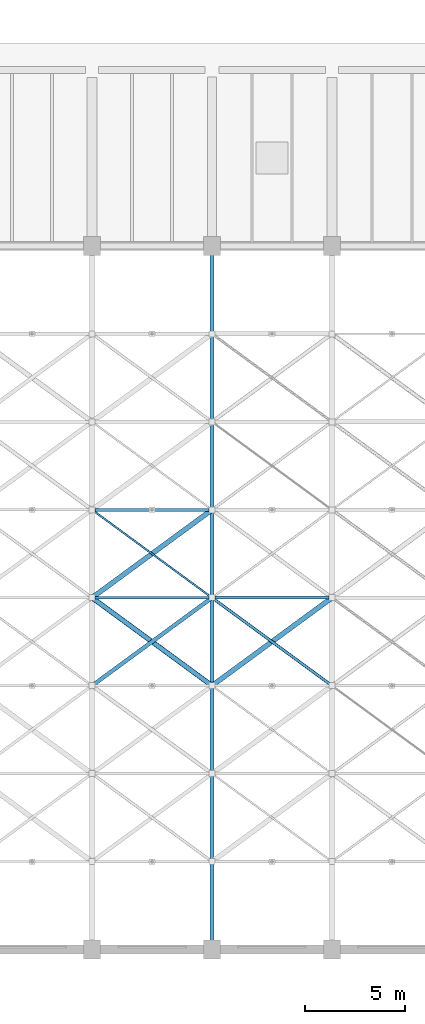
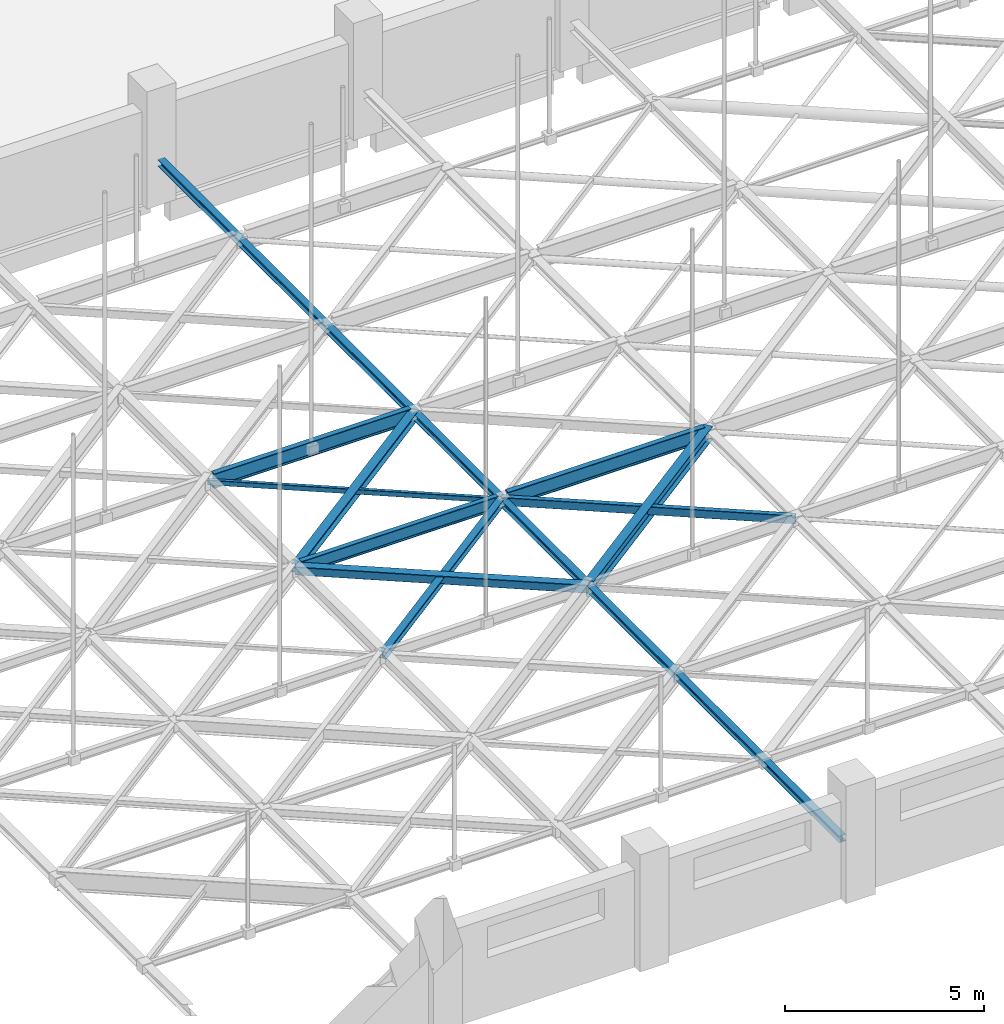
# One storey, part 40 of 93: 6 members, 4 beams.
"""IFC4 building model written with IfcOpenShell, lengths in metres."""

from ifc_helpers import new_model, si_unit, direction, frame, origin, origin_2d, place, context, subcontext, project, spatial, hollow_rectangle, i_section, extrude, material, material_profile, profile_set, type_object, element, save


model = new_model("IFC4")

# Units and contexts
model_context = context("Model", 3, precision=1e-05, world=origin(), true_north=direction((0.0, 1.0)))
body_context = subcontext(model_context, "Body", "Model", "MODEL_VIEW")
ifc_project = project(units=[si_unit("LENGTHUNIT", "METRE"), si_unit("AREAUNIT", "SQUARE_METRE"), si_unit("VOLUMEUNIT", "CUBIC_METRE"), si_unit("PLANEANGLEUNIT", "RADIAN"), si_unit("MASSUNIT", "GRAM", prefix="KILO")], contexts=[model_context])

# Site, building, storey
site_placement = place(None, origin())
site = spatial("IfcSite", under=ifc_project, at=site_placement, CompositionType="ELEMENT")
building_placement = place(site_placement, origin())
building = spatial("IfcBuilding", under=site, at=building_placement, Name="Varnakota Cinema and Media Centre", CompositionType="ELEMENT")
storey_placement = place(building_placement, frame((0.0, 0.0, 12.0)))
storey = spatial("IfcBuildingStorey", under=building, at=storey_placement, Name="L03", CompositionType="ELEMENT", Elevation=12.0)

# Beams
ifc_material_1 = material(Name="Structural steel Grade 350 (E350)", Category="steel")
ifc_material_profile_1 = material_profile(ifc_material_1, i_section(OverallWidth=0.199951171875, OverallDepth=0.199951171875, WebThickness=0.0078125, FlangeThickness=0.009033203125, FilletRadius=0.009033203125, at=origin_2d()), Name="ISHB 200")
ifc_profile_set_1 = profile_set([ifc_material_profile_1], Name="Structural steel Grade 350 (E350)")
beam_type_1 = type_object("IfcBeamType", Name="BM-ST-ISHB200", PredefinedType="BEAM", material=ifc_profile_set_1)
beam_1_placement = place(storey_placement, frame((99.0, 0.449951171875, 1.300048828125), z_axis=(0.0, 1.0, 0.0), x_axis=(-1.0, 0.0, 0.0)))
element("IfcBeam", 1, at=beam_1_placement, inside=storey, type_object=beam_type_1, Name="V1 acoustic rigging main beam 5", PredefinedType="BEAM", context=body_context, shape_type="SweptSolid", body=[
    extrude(i_section(OverallWidth=0.199951171875, OverallDepth=0.199951171875, WebThickness=0.0078125, FlangeThickness=0.009033203125, FilletRadius=0.009033203125, at=origin_2d()), origin(), (0.0, 0.0, 1.0), 34.300048828125),
])
ifc_material_2 = material(Name="Structural steel Grade 350 (E350)", Category="steel")
ifc_material_profile_2 = material_profile(ifc_material_2, i_section(OverallWidth=0.139892578125, OverallDepth=0.39990234375, WebThickness=0.0087890625, FlangeThickness=0.01611328125, FilletRadius=0.013916015625, at=origin_2d()), Name="ISMB 400")
ifc_profile_set_2 = profile_set([ifc_material_profile_2], Name="Structural steel Grade 350 (E350)")
beam_type_2 = type_object("IfcBeamType", Name="BM-ST-ISMB400", PredefinedType="JOIST", material=ifc_profile_set_2)
beam_2_placement = place(storey_placement, frame((93.139892578125, 17.60009765625, 1.300048828125), z_axis=(1.0, 0.0, 0.0), x_axis=(0.0, 1.0, 0.0)))
element("IfcBeam", 2, at=beam_2_placement, inside=storey, type_object=beam_type_2, Name="V1 rigging beam 4.4", PredefinedType="JOIST", context=body_context, shape_type="SweptSolid", body=[
    extrude(i_section(OverallWidth=0.139892578125, OverallDepth=0.39990234375, WebThickness=0.0087890625, FlangeThickness=0.01611328125, FilletRadius=0.013916015625, at=origin_2d()), origin(), (0.0, 0.0, 1.0), 5.72021484375),
])
ifc_material_3 = material(Name="Structural steel Grade 350 (E350)", Category="steel")
ifc_material_profile_3 = material_profile(ifc_material_3, i_section(OverallWidth=0.14990234375, OverallDepth=0.449951171875, WebThickness=0.009521484375, FlangeThickness=0.017333984375, FilletRadius=0.014892578125, at=origin_2d()), Name="ISMB 450")
ifc_profile_set_3 = profile_set([ifc_material_profile_3], Name="Structural steel Grade 350 (E350)")
beam_type_3 = type_object("IfcBeamType", Name="BM-ST-ISMB450", PredefinedType="BEAM", material=ifc_profile_set_3)
for number, where, z_axis, x_axis, name in (
    (3, (93.139892578125, 22.0, 1.300048828125), (1.0, 0.0, 0.0), (0.0, 1.0, 0.0), "V1 rigging beam 4.5"),
    (4, (99.139892578125, 17.60009765625, 1.300048828125), (1.0, 0.0, 0.0), (0.0, 1.0, 0.0), "V1 rigging beam 5.4"),
):
    element("IfcBeam", number, at=place(storey_placement, frame(where, z_axis=z_axis, x_axis=x_axis)), inside=storey, type_object=beam_type_3, Name=name, PredefinedType="BEAM", context=body_context, shape_type="SweptSolid", body=[
        extrude(i_section(OverallWidth=0.14990234375, OverallDepth=0.449951171875, WebThickness=0.009521484375, FlangeThickness=0.017333984375, FilletRadius=0.014892578125, at=origin_2d()), origin(), (0.0, 0.0, 1.0), 5.72021484375),
    ])

# Members
ifc_material_4 = material(Name="Structural steel Grade 350 (E350)", Category="steel")
ifc_material_profile_4 = material_profile(ifc_material_4, i_section(OverallWidth=0.199951171875, OverallDepth=0.199951171875, WebThickness=0.0078125, FlangeThickness=0.009033203125, FilletRadius=0.009033203125, at=origin_2d()), Name="ISHB 200")
ifc_profile_set_4 = profile_set([ifc_material_profile_4], Name="Structural steel Grade 350 (E350)")
member_type_1 = type_object("IfcMemberType", Name="MEM-ST-ISHB200", PredefinedType="CHORD", material=ifc_profile_set_4)
member_1_placement = place(storey_placement, frame((93.0, 13.199951171875, 1.300048828125), z_axis=(0.806395607258, 0.591376466048, 0.0), x_axis=(-0.591376466048, 0.806395607258, 0.0)))
element("IfcMember", 5, at=member_1_placement, inside=storey, type_object=member_type_1, Name="V1 rigging plan member A 4.3", PredefinedType="CHORD", context=body_context, shape_type="SweptSolid", body=[
    extrude(i_section(OverallWidth=0.199951171875, OverallDepth=0.199951171875, WebThickness=0.0078125, FlangeThickness=0.009033203125, FilletRadius=0.009033203125, at=origin_2d()), origin(), (0.0, 0.0, 1.0), 7.4404296875),
])
ifc_material_5 = material(Name="Structural steel Grade 350 (E350)", Category="steel")
ifc_material_profile_5 = material_profile(ifc_material_5, i_section(OverallWidth=0.25, OverallDepth=0.25, WebThickness=0.0087890625, FlangeThickness=0.009765625, FilletRadius=0.010009765625, at=origin_2d()), Name="ISHB 250")
ifc_profile_set_5 = profile_set([ifc_material_profile_5], Name="Structural steel Grade 350 (E350)")
member_type_2 = type_object("IfcMemberType", Name="MEM-ST-ISHB250", PredefinedType="CHORD", material=ifc_profile_set_5)
member_2_placement = place(storey_placement, frame((93.0, 17.60009765625, 1.300048828125), z_axis=(0.80641125493, 0.591355128432, 0.0), x_axis=(-0.591355128432, 0.80641125493, 0.0)))
element("IfcMember", 6, at=member_2_placement, inside=storey, type_object=member_type_2, Name="V1 rigging plan member A 4.4", PredefinedType="CHORD", context=body_context, shape_type="SweptSolid", body=[
    extrude(i_section(OverallWidth=0.25, OverallDepth=0.25, WebThickness=0.0087890625, FlangeThickness=0.009765625, FilletRadius=0.010009765625, at=origin_2d()), origin(), (0.0, 0.0, 1.0), 7.4404296875),
])
ifc_material_6 = material(Name="Structural steel Grade 350 (E350)", Category="steel")
ifc_material_profile_6 = material_profile(ifc_material_6, i_section(OverallWidth=0.25, OverallDepth=0.39990234375, WebThickness=0.010498046875, FlangeThickness=0.0126953125, FilletRadius=0.011962890625, at=origin_2d()), Name="ISHB 400")
ifc_profile_set_6 = profile_set([ifc_material_profile_6], Name="Structural steel Grade 350 (E350)")
member_type_3 = type_object("IfcMemberType", Name="MEM-ST-ISHB400", PredefinedType="CHORD", material=ifc_profile_set_6)
member_3_placement = place(storey_placement, frame((99.0, 13.199951171875, 1.300048828125), z_axis=(0.806395607258, 0.591376466048, 0.0), x_axis=(-0.591376466048, 0.806395607258, 0.0)))
element("IfcMember", 7, at=member_3_placement, inside=storey, type_object=member_type_3, Name="V1 rigging plan member A 5.3", PredefinedType="CHORD", context=body_context, shape_type="SweptSolid", body=[
    extrude(i_section(OverallWidth=0.25, OverallDepth=0.39990234375, WebThickness=0.010498046875, FlangeThickness=0.0126953125, FilletRadius=0.011962890625, at=origin_2d()), origin(), (0.0, 0.0, 1.0), 7.4404296875),
])
ifc_material_7 = material(Name="Structural steel S355 (YSt 355)", Category="steel")
ifc_material_profile_7 = material_profile(ifc_material_7, hollow_rectangle(XDim=0.10009765625, YDim=0.14990234375, WallThickness=0.006103515625, InnerFilletRadius=0.006103515625, OuterFilletRadius=0.011962890625, at=origin_2d()), Name="RHS 150x100x6")
ifc_profile_set_7 = profile_set([ifc_material_profile_7], Name="Structural steel S355 (YSt 355)")
member_type_4 = type_object("IfcMemberType", Name="MEM-ST-RHS150x100x6", PredefinedType="PURLIN", material=ifc_profile_set_7)
member_4_placement = place(storey_placement, frame((99.0, 17.60009765625, 1.300048828125), z_axis=(-0.80641125493, 0.591355128432, 0.0), x_axis=(-0.591355128432, -0.80641125493, 0.0)))
element("IfcMember", 8, at=member_4_placement, inside=storey, type_object=member_type_4, Name="V1 rigging plan member B 4.4", PredefinedType="PURLIN", context=body_context, shape_type="SweptSolid", body=[
    extrude(hollow_rectangle(XDim=0.10009765625, YDim=0.14990234375, WallThickness=0.006103515625, InnerFilletRadius=0.006103515625, OuterFilletRadius=0.011962890625, at=origin_2d()), origin(), (0.0, 0.0, 1.0), 7.4404296875),
])
ifc_material_8 = material(Name="Structural steel S355 (YSt 355)", Category="steel")
ifc_material_profile_8 = material_profile(ifc_material_8, hollow_rectangle(XDim=0.14990234375, YDim=0.25, WallThickness=0.008056640625, InnerFilletRadius=0.008056640625, OuterFilletRadius=0.01611328125, at=origin_2d()), Name="RHS 250x150x8")
ifc_profile_set_8 = profile_set([ifc_material_profile_8], Name="Structural steel S355 (YSt 355)")
member_type_5 = type_object("IfcMemberType", Name="MEM-ST-RHS250x150x8", PredefinedType="PURLIN", material=ifc_profile_set_8)
member_5_placement = place(storey_placement, frame((105.0, 13.199951171875, 1.300048828125), z_axis=(-0.806395607258, 0.591376466048, 0.0), x_axis=(-0.591376466048, -0.806395607258, 0.0)))
element("IfcMember", 9, at=member_5_placement, inside=storey, type_object=member_type_5, Name="V1 rigging plan member B 5.3", PredefinedType="PURLIN", context=body_context, shape_type="SweptSolid", body=[
    extrude(hollow_rectangle(XDim=0.14990234375, YDim=0.25, WallThickness=0.008056640625, InnerFilletRadius=0.008056640625, OuterFilletRadius=0.01611328125, at=origin_2d()), origin(), (0.0, 0.0, 1.0), 7.4404296875),
])
ifc_material_9 = material(Name="Structural steel S355 (YSt 355)", Category="steel")
ifc_material_profile_9 = material_profile(ifc_material_9, hollow_rectangle(XDim=0.25, YDim=0.25, WallThickness=0.010009765625, InnerFilletRadius=0.010009765625, OuterFilletRadius=0.02001953125, at=origin_2d()), Name="SHS 250x250x10")
ifc_profile_set_9 = profile_set([ifc_material_profile_9], Name="Structural steel S355 (YSt 355)")
member_type_6 = type_object("IfcMemberType", Name="MEM-ST-SHS250x250x10", PredefinedType="STRUT", material=ifc_profile_set_9)
member_6_placement = place(storey_placement, frame((99.0, 13.199951171875, 1.300048828125), z_axis=(-0.806395607258, 0.591376466048, 0.0), x_axis=(-0.591376466048, -0.806395607258, 0.0)))
element("IfcMember", 10, at=member_6_placement, inside=storey, type_object=member_type_6, Name="V1 rigging plan member B 4.3", PredefinedType="STRUT", context=body_context, shape_type="SweptSolid", body=[
    extrude(hollow_rectangle(XDim=0.25, YDim=0.25, WallThickness=0.010009765625, InnerFilletRadius=0.010009765625, OuterFilletRadius=0.02001953125, at=origin_2d()), origin(), (0.0, 0.0, 1.0), 7.4404296875),
])

save(model, "model.ifc")
